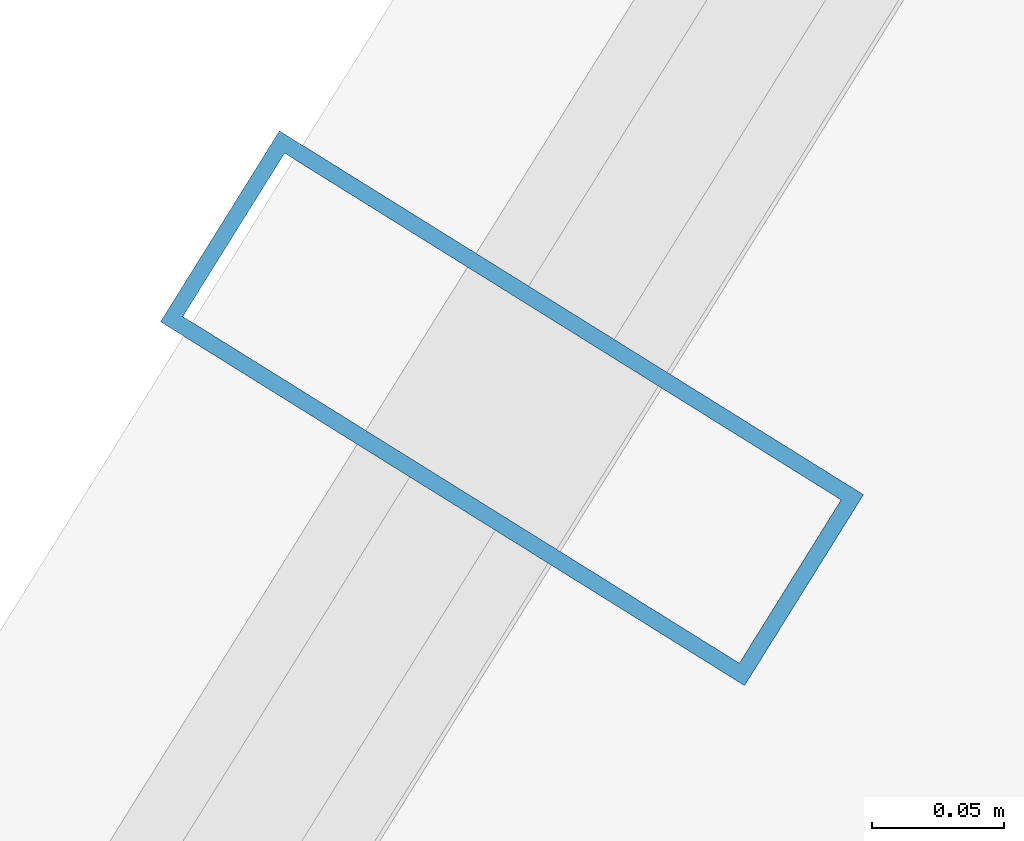
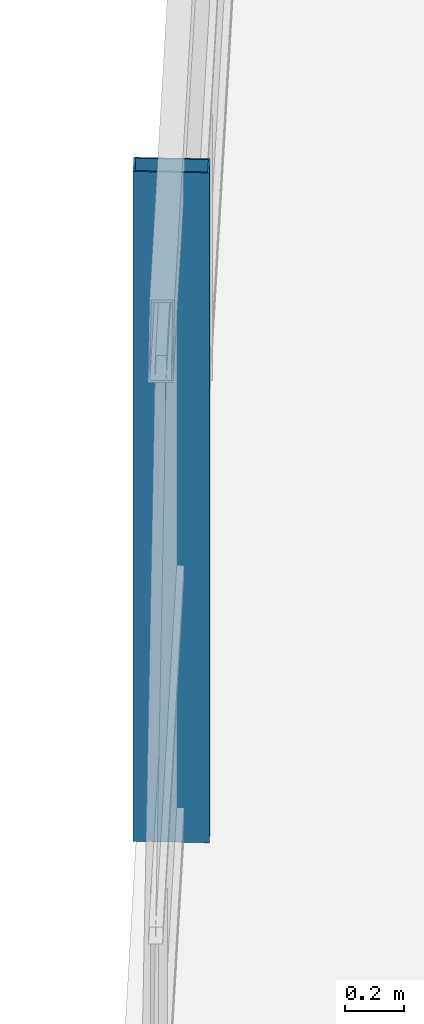
# One storey, part 6 of 16: 1 member, 1 element without a shape of its own.
"""IFC4 building model written with IfcOpenShell, lengths in metres."""

from ifc_helpers import new_model, si_unit, direction, frame, origin, origin_2d, place, context, subcontext, project, spatial, hollow_rectangle, extrude, material, layer, layer_set, material_profile, profile_set, type_object, element, aggregate, save


model = new_model("IFC4")

# Units and contexts
model_context = context("Model", 3, precision=1e-05, world=origin(), true_north=direction((0.0, 1.0)))
body_context = subcontext(model_context, "Body", "Model", "MODEL_VIEW")
ifc_project = project(units=[si_unit("LENGTHUNIT", "METRE"), si_unit("AREAUNIT", "SQUARE_METRE"), si_unit("VOLUMEUNIT", "CUBIC_METRE"), si_unit("PLANEANGLEUNIT", "RADIAN"), si_unit("MASSUNIT", "GRAM", prefix="KILO")], contexts=[model_context])

# Site, building, storey
site_placement = place(None, origin())
site = spatial("IfcSite", under=ifc_project, at=site_placement, CompositionType="ELEMENT")
building_placement = place(site_placement, origin())
building = spatial("IfcBuilding", under=site, at=building_placement, Name="Qarnah Convention Tower", CompositionType="ELEMENT")
storey_placement = place(building_placement, frame((0.0, 0.0, 286.699951171875)))
storey = spatial("IfcBuildingStorey", under=building, at=storey_placement, Name="L77", CompositionType="ELEMENT", Elevation=286.699951171875)

# Curtain wall, member
ifc_material_1 = material(Name="Tempered Low-E dark glass", Category="glass")
ifc_layer = layer(ifc_material_1, 0.177978515625)
ifc_layer_set = layer_set([ifc_layer], Name="Tempered Low-E dark glass")
curtain_wall_type = type_object("IfcCurtainWallType", Name="CWS-06", PredefinedType="NOTDEFINED", material=ifc_layer_set)
curtain_wall_placement = place(storey_placement, origin())
curtain_wall = element("IfcCurtainWall", 1, at=curtain_wall_placement, inside=storey, type_object=curtain_wall_type, Name="L77 unitised curtain wall CW-L77-F3", PredefinedType="NOTDEFINED")
ifc_material_2 = material(Name="Black anodised aluminium", Category="aluminium")
ifc_material_profile = material_profile(ifc_material_2, hollow_rectangle(XDim=0.0849609375, YDim=0.260009765625, WallThickness=0.006103515625, at=origin_2d()), Name="MUL-85X260")
ifc_profile_set = profile_set([ifc_material_profile], Name="Black anodised aluminium")
member_type = type_object("IfcMemberType", Name="MUL-T6", PredefinedType="MULLION", material=ifc_profile_set)
member_placement = place(storey_placement, frame((23.376708984375, 31.823486328125, 0.0), z_axis=(0.0, 0.0, 1.0), x_axis=(0.528738901195, 0.848784527641, 0.0)))
member = element("IfcMember", 2, at=member_placement, type_object=member_type, Name="CW-L77-F3 mullion 3", PredefinedType="MULLION", context=body_context, shape_type="SweptSolid", body=[
    extrude(hollow_rectangle(XDim=0.0849609375, YDim=0.260009765625, WallThickness=0.006103515625, at=origin_2d()), origin(), (0.0, 0.0, 1.0), 2.780029296875),
])
aggregate(curtain_wall, [member])

save(model, "model.ifc")
